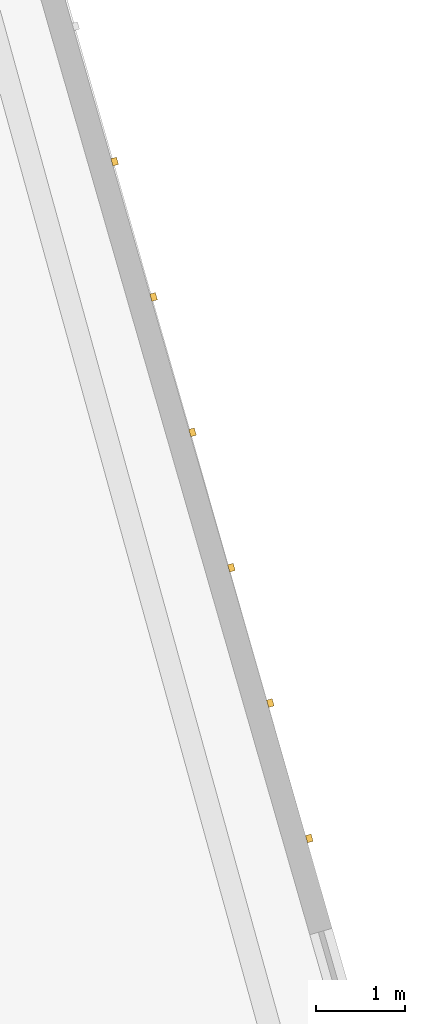
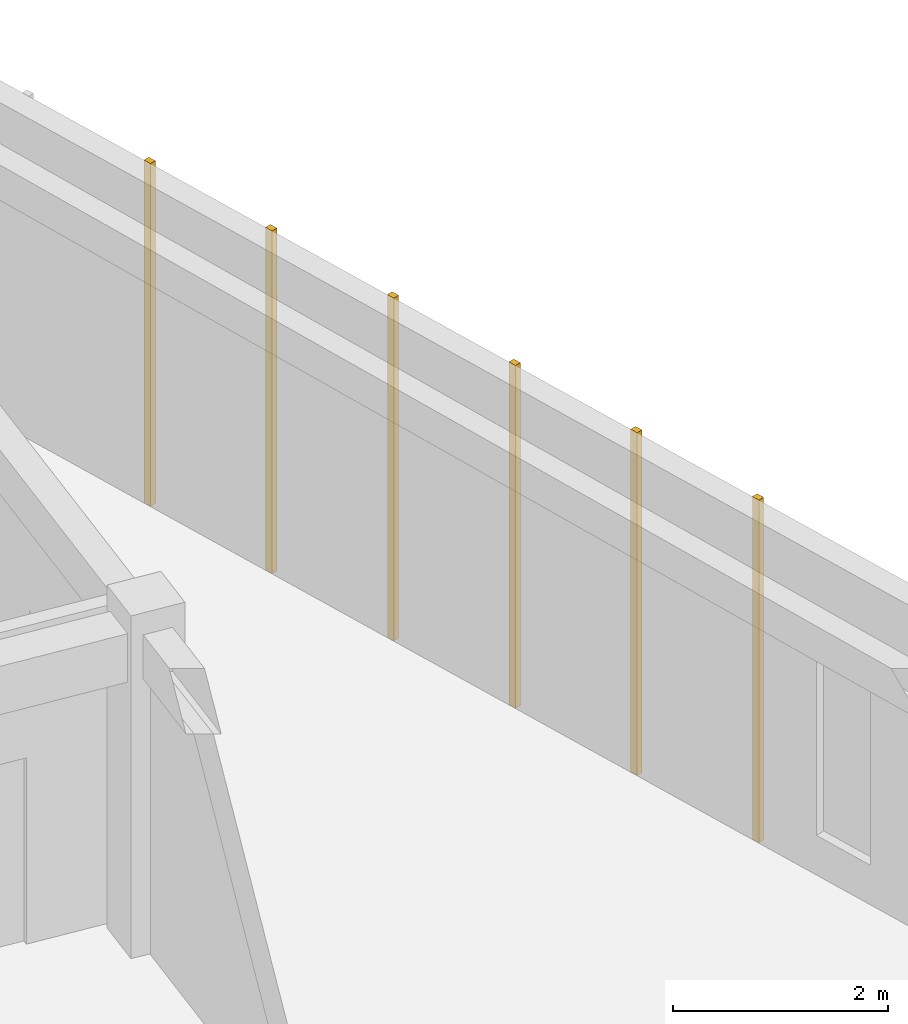
# One storey, part 150 of 150: 6 coverings.
"""IFC4 building model written with IfcOpenShell, lengths in metres."""

from ifc_helpers import new_model, si_unit, direction, frame, origin, origin_2d, place, context, subcontext, project, spatial, rectangle, extrude, material, layer, layer_set, type_object, element, save


model = new_model("IFC4")

# Units and contexts
model_context = context("Model", 3, precision=1e-05, world=origin(), true_north=direction((0.0, 1.0)))
body_context = subcontext(model_context, "Body", "Model", "MODEL_VIEW")
ifc_project = project(units=[si_unit("LENGTHUNIT", "METRE"), si_unit("AREAUNIT", "SQUARE_METRE"), si_unit("VOLUMEUNIT", "CUBIC_METRE"), si_unit("PLANEANGLEUNIT", "RADIAN"), si_unit("MASSUNIT", "GRAM", prefix="KILO")], contexts=[model_context])

# Site, building, storey
site_placement = place(None, origin())
site = spatial("IfcSite", under=ifc_project, at=site_placement, CompositionType="ELEMENT")
building_placement = place(site_placement, origin())
building = spatial("IfcBuilding", under=site, at=building_placement, Name="Kestramere Prow Commons", CompositionType="ELEMENT")
storey_placement = place(building_placement, frame((0.0, 0.0, 4.5)))
storey = spatial("IfcBuildingStorey", under=building, at=storey_placement, Name="L01", CompositionType="ELEMENT", Elevation=4.5)

# Coverings
ifc_material = material(Name="Weathered Zinc-Titanium Standing-Seam Cladding")
ifc_layer = layer(ifc_material, 0.074951171875)
ifc_layer_set = layer_set([ifc_layer], Name="Weathered Zinc-Titanium Standing-Seam Cladding")
covering_type = type_object("IfcCoveringType", Name="COV-CLAD-SEAM", PredefinedType="CLADDING", material=ifc_layer_set)
for number, where, z_axis, x_axis, name in (
    (1, (162.260498046875, 103.73046875, -0.25), (0.0, 0.0, 1.0), (0.27631844013, -0.961066136977, 0.0), "EW-B-L01-PRW-N Standing-Seam Rib 4"),
    (2, (162.69580078125, 102.21630859375, -0.25), (0.0, 0.0, 1.0), (0.27631844013, -0.961066136977, 0.0), "EW-B-L01-PRW-N Standing-Seam Rib 5"),
    (3, (163.131103515625, 100.7021484375, -0.25), (0.0, 0.0, 1.0), (0.27631844013, -0.961066136977, 0.0), "EW-B-L01-PRW-N Standing-Seam Rib 6"),
    (4, (163.56640625, 99.18798828125, -0.25), (0.0, 0.0, 1.0), (0.27631844013, -0.961066136977, 0.0), "EW-B-L01-PRW-N Standing-Seam Rib 7"),
    (5, (164.001708984375, 97.673583984375, -0.25), (0.0, 0.0, 1.0), (0.27631844013, -0.961066136977, 0.0), "EW-B-L01-PRW-N Standing-Seam Rib 8"),
    (6, (164.437255859375, 96.159423828125, -0.25), (0.0, 0.0, 1.0), (0.27631844013, -0.961066136977, 0.0), "EW-B-L01-PRW-N Standing-Seam Rib 9"),
):
    element("IfcCovering", number, at=place(storey_placement, frame(where, z_axis=z_axis, x_axis=x_axis)), inside=storey, type_object=covering_type, Name=name, PredefinedType="CLADDING", context=body_context, shape_type="SweptSolid", body=[
        extrude(rectangle(XDim=0.0849609375, YDim=0.06494140625, at=origin_2d()), origin(), (0.0, 0.0, 1.0), 3.89990234375),
    ])

save(model, "model.ifc")
